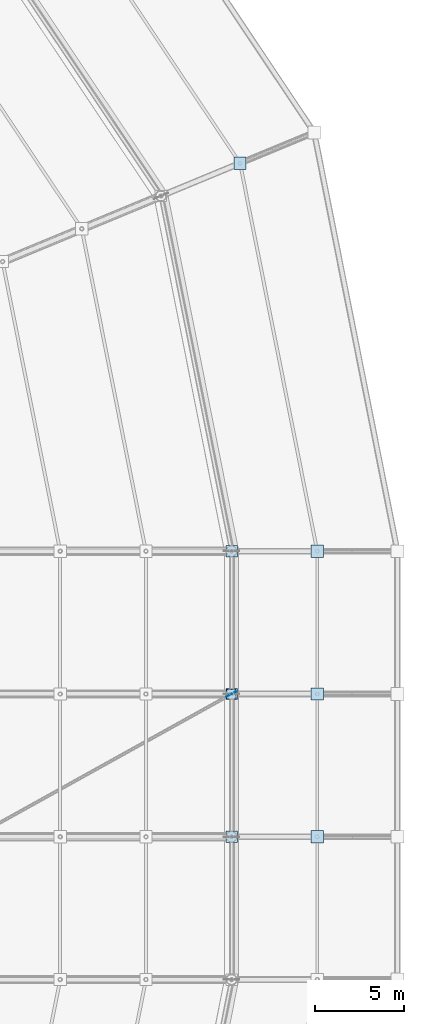
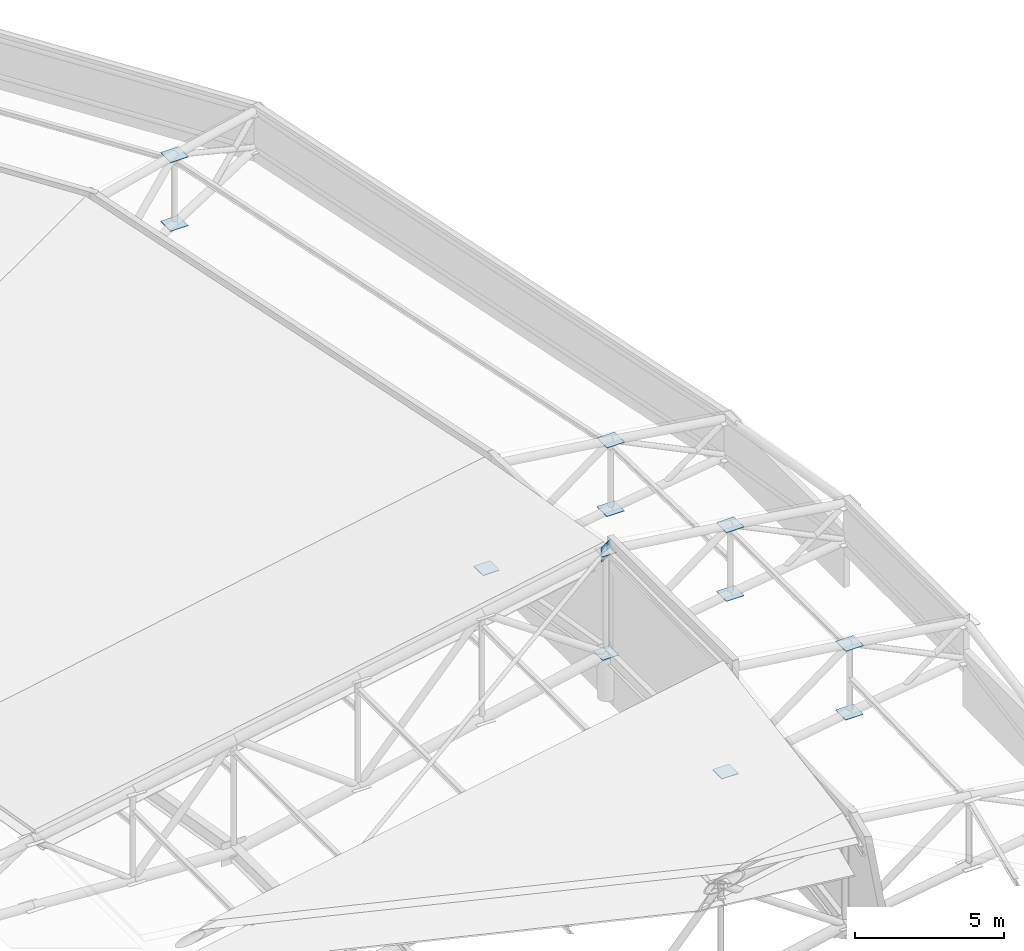
# One storey, part 142 of 146: 13 plates.
"""IFC4 building model written with IfcOpenShell, lengths in metres."""

from ifc_helpers import new_model, si_unit, direction, frame, origin, origin_2d, place, context, subcontext, project, spatial, rectangle, extrude, material, layer, layer_set, type_object, element, save


model = new_model("IFC4")

# Units and contexts
model_context = context("Model", 3, precision=1e-05, world=origin(), true_north=direction((0.0, 1.0)))
body_context = subcontext(model_context, "Body", "Model", "MODEL_VIEW")
ifc_project = project(units=[si_unit("LENGTHUNIT", "METRE"), si_unit("AREAUNIT", "SQUARE_METRE"), si_unit("VOLUMEUNIT", "CUBIC_METRE"), si_unit("PLANEANGLEUNIT", "RADIAN"), si_unit("MASSUNIT", "GRAM", prefix="KILO")], contexts=[model_context])

# Site, building, storey
site_placement = place(None, origin())
site = spatial("IfcSite", under=ifc_project, at=site_placement, CompositionType="ELEMENT")
building_placement = place(site_placement, origin())
building = spatial("IfcBuilding", under=site, at=building_placement, Name="Candeia Ridge Stadium", CompositionType="ELEMENT")
storey_placement = place(building_placement, frame((0.0, 0.0, 31.800048828125)))
storey = spatial("IfcBuildingStorey", under=building, at=storey_placement, Name="RF", CompositionType="ELEMENT", Elevation=31.800048828125)

# Plates
ifc_material = material(Name="Steel ASTM A572 Grade 50", Category="steel")
ifc_layer_1 = layer(ifc_material, 0.02490234375, Name="Steel ASTM A572 Grade 50", Category="steel")
ifc_layer_set_1 = layer_set([ifc_layer_1], Name="Steel ASTM A572 Grade 50")
plate_type_1 = type_object("IfcPlateType", Name="Hollow Section End Closure Plate CP1", PredefinedType="SHEET", material=ifc_layer_set_1)
for number, where, z_axis, x_axis, name in (
    (1, (193.0, 79.0, 1.773193359375), (0.0, 0.0, 1.0), (1.0, 0.0, 0.0), "Hollow section end closure plate MCAP-T-BC-OU-30"),
    (2, (193.0, 87.0, 1.773193359375), (0.0, 0.0, 1.0), (1.0, 0.0, 0.0), "Hollow section end closure plate MCAP-T-BC-OU-31"),
    (3, (193.0, 95.0, 0.387451171875), (0.0, 0.0, 1.0), (1.0, 0.0, 0.0), "Hollow section end closure plate MCAP-T-BC-OU-32"),
):
    element("IfcPlate", number, at=place(storey_placement, frame(where, z_axis=z_axis, x_axis=x_axis)), inside=storey, type_object=plate_type_1, Name=name, PredefinedType="SHEET", context=body_context, shape_type="SweptSolid", body=[
        extrude(rectangle(XDim=0.639892578125, YDim=0.639892578125, at=origin_2d()), origin(), (0.0, 0.0, 1.0), 0.02490234375),
    ])
ifc_layer_2 = layer(ifc_material, 0.02490234375, Name="Steel ASTM A572 Grade 50", Category="steel")
ifc_layer_set_2 = layer_set([ifc_layer_2], Name="Steel ASTM A572 Grade 50")
plate_type_2 = type_object("IfcPlateType", Name="Hollow Section End Closure Plate CP3", PredefinedType="SHEET", material=ifc_layer_set_2)
for number, where, z_axis, x_axis, name in (
    (4, (197.800048828125, 79.0, 5.33154296875), (0.0, 0.0, 1.0), (1.0, 0.0, 0.0), "Hollow section end closure plate NCAP-T-30-7"),
    (5, (197.800048828125, 79.0, 2.52490234375), (0.0, 0.0, 1.0), (1.0, 0.0, 0.0), "Hollow section end closure plate NCAP-B-30-7"),
):
    element("IfcPlate", number, at=place(storey_placement, frame(where, z_axis=z_axis, x_axis=x_axis)), inside=storey, type_object=plate_type_2, Name=name, PredefinedType="SHEET", context=body_context, shape_type="SweptSolid", body=[
        extrude(rectangle(XDim=0.679931640625, YDim=0.679931640625, at=origin_2d()), origin(), (0.0, 0.0, 1.0), 0.02490234375),
    ])
plate_1_placement = place(storey_placement, frame((192.982666015625, 86.990478515625, 5.969970703125), z_axis=(0.0, 0.0, 1.0), x_axis=(1.0, 0.0, 0.0)))
element("IfcPlate", 6, at=plate_1_placement, inside=storey, type_object=plate_type_2, Name="Hollow section end closure plate WBCAP-B-30", PredefinedType="SHEET", context=body_context, shape_type="SweptSolid", body=[
    extrude(rectangle(XDim=0.550048828125, YDim=0.550048828125, at=origin_2d()), origin(), (0.0, 0.0, 1.0), 0.02490234375),
])
for number, where, z_axis, x_axis, name in (
    (7, (197.800048828125, 87.0, 5.33154296875), (0.0, 0.0, 1.0), (1.0, 0.0, 0.0), "Hollow section end closure plate NCAP-T-31-7"),
    (8, (197.800048828125, 87.0, 2.52490234375), (0.0, 0.0, 1.0), (1.0, 0.0, 0.0), "Hollow section end closure plate NCAP-B-31-7"),
    (9, (197.800048828125, 95.0, 3.94580078125), (0.0, 0.0, 1.0), (1.0, 0.0, 0.0), "Hollow section end closure plate NCAP-T-32-7"),
    (10, (197.800048828125, 95.0, 1.139404296875), (0.0, 0.0, 1.0), (1.0, 0.0, 0.0), "Hollow section end closure plate NCAP-B-32-7"),
    (11, (193.476318359375, 116.736328125, 3.94580078125), (0.0, 0.0, 1.0), (1.0, 0.0, 0.0), "Hollow section end closure plate NCAP-T-33-7"),
    (12, (193.476318359375, 116.736328125, 1.139404296875), (0.0, 0.0, 1.0), (1.0, 0.0, 0.0), "Hollow section end closure plate NCAP-B-33-7"),
):
    element("IfcPlate", number, at=place(storey_placement, frame(where, z_axis=z_axis, x_axis=x_axis)), inside=storey, type_object=plate_type_2, Name=name, PredefinedType="SHEET", context=body_context, shape_type="SweptSolid", body=[
        extrude(rectangle(XDim=0.679931640625, YDim=0.679931640625, at=origin_2d()), origin(), (0.0, 0.0, 1.0), 0.02490234375),
    ])
ifc_layer_3 = layer(ifc_material, 0.02392578125, Name="Steel ASTM A572 Grade 50", Category="steel")
ifc_layer_set_3 = layer_set([ifc_layer_3], Name="Steel ASTM A572 Grade 50")
plate_type_3 = type_object("IfcPlateType", Name="Roof Truss Chord-Web Node Gusset ND-3", PredefinedType="USERDEFINED", material=ifc_layer_set_3)
plate_2_placement = place(storey_placement, frame((192.982666015625, 86.990478515625, 5.682373046875), z_axis=(0.0, 0.0, 1.0), x_axis=(0.874157310866, 0.485642868639, 0.0)))
element("IfcPlate", 13, at=plate_2_placement, inside=storey, type_object=plate_type_3, Name="Roof wind brace end gusset B bay 31", ObjectType="GUSSET PLATE", PredefinedType="USERDEFINED", context=body_context, shape_type="SweptSolid", body=[
    extrude(rectangle(XDim=0.60009765625, YDim=0.02392578125, at=origin_2d()), origin(), (0.0, 0.0, 1.0), 0.60009765625),
])

save(model, "model.ifc")
